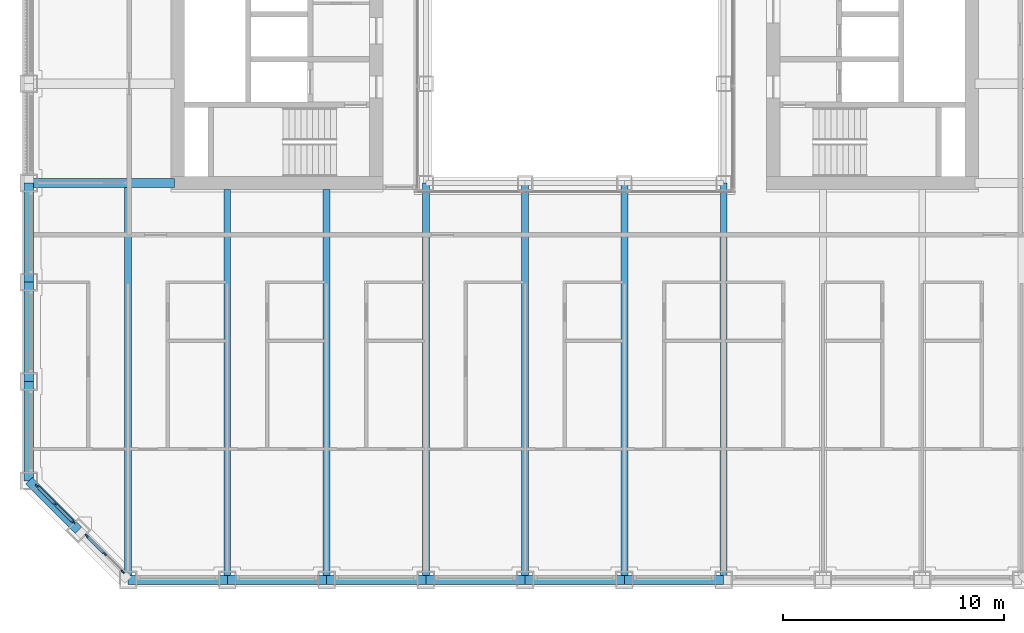
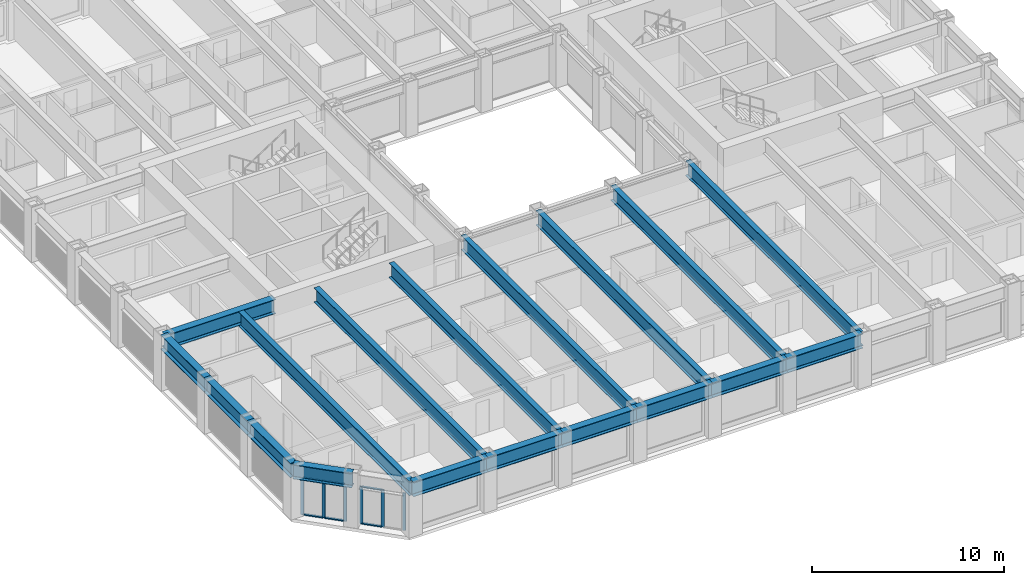
# One storey, part 2 of 21: 18 beams, 12 members, 2 elements without a shape of their own.
"""IFC4 building model written with IfcOpenShell, lengths in metres."""

from ifc_helpers import new_model, si_unit, direction, frame, origin, origin_2d, place, context, subcontext, project, spatial, rectangle, i_section, extrude, material, material_profile, profile_set, type_object, element, aggregate, save


model = new_model("IFC4")

# Units and contexts
model_context = context("Model", 3, precision=1e-05, world=origin(), true_north=direction((0.0, 1.0)))
body_context = subcontext(model_context, "Body", "Model", "MODEL_VIEW")
ifc_project = project(units=[si_unit("LENGTHUNIT", "METRE"), si_unit("AREAUNIT", "SQUARE_METRE"), si_unit("VOLUMEUNIT", "CUBIC_METRE"), si_unit("PLANEANGLEUNIT", "RADIAN"), si_unit("MASSUNIT", "GRAM", prefix="KILO")], contexts=[model_context])

# Site, building, storey
site_placement = place(None, origin())
site = spatial("IfcSite", under=ifc_project, at=site_placement, CompositionType="ELEMENT")
building_placement = place(site_placement, origin())
building = spatial("IfcBuilding", under=site, at=building_placement, Name="Msasa Ring Tower", CompositionType="ELEMENT")
storey_placement = place(building_placement, frame((0.0, 0.0, 96.5)))
storey = spatial("IfcBuildingStorey", under=building, at=storey_placement, Name="L25", CompositionType="ELEMENT", Elevation=96.5)

# Curtain wall, members
ifc_material_1 = material(Name="Aluminium curtain wall with clear glass", Category="aluminium")
curtain_wall_type = type_object("IfcCurtainWallType", Name="CW-C CHAMFER CORNER CURTAIN WALL", PredefinedType="NOTDEFINED", material=ifc_material_1)
curtain_wall_1_placement = place(storey_placement, origin())
curtain_wall_1 = element("IfcCurtainWall", 1, at=curtain_wall_1_placement, inside=storey, type_object=curtain_wall_type, Name="Chamfer corner curtain wall SW L25", PredefinedType="NOTDEFINED")
ifc_material_2 = material(Name="Aluminium mullion", Category="aluminium")
ifc_material_profile_1 = material_profile(ifc_material_2, rectangle(XDim=0.06494140625, YDim=0.179931640625, at=origin_2d()), Name="AL 65x180")
ifc_profile_set_1 = profile_set([ifc_material_profile_1], Name="Aluminium mullion")
member_type_1 = type_object("IfcMemberType", Name="CW-C MULLION 65x180", PredefinedType="MULLION", material=ifc_profile_set_1)
member_1_placement = place(storey_placement, frame((-24.369873046875, -20.48876953125, 0.0), z_axis=(0.0, 0.0, 1.0), x_axis=(0.707106781187, 0.707106781187, 0.0)))
member_1 = element("IfcMember", 2, at=member_1_placement, type_object=member_type_1, Name="CW-C mullion 1", PredefinedType="MULLION", context=body_context, shape_type="SweptSolid", body=[
    extrude(rectangle(XDim=0.06494140625, YDim=0.179931640625, at=origin_2d()), origin(), (0.0, 0.0, 1.0), 2.37890625),
])
member_2_placement = place(storey_placement, frame((-23.55419921875, -21.30419921875, 0.0), z_axis=(0.0, 0.0, 1.0), x_axis=(0.707106781187, 0.707106781187, 0.0)))
member_2 = element("IfcMember", 3, at=member_2_placement, type_object=member_type_1, Name="CW-C mullion 2", PredefinedType="MULLION", context=body_context, shape_type="SweptSolid", body=[
    extrude(rectangle(XDim=0.06494140625, YDim=0.179931640625, at=origin_2d()), origin(), (0.0, 0.0, 1.0), 2.37890625),
])
member_3_placement = place(storey_placement, frame((-22.73876953125, -22.119873046875, 0.0), z_axis=(0.0, 0.0, 1.0), x_axis=(0.707106781187, 0.707106781187, 0.0)))
member_3 = element("IfcMember", 4, at=member_3_placement, type_object=member_type_1, Name="CW-C mullion 3", PredefinedType="MULLION", context=body_context, shape_type="SweptSolid", body=[
    extrude(rectangle(XDim=0.06494140625, YDim=0.179931640625, at=origin_2d()), origin(), (0.0, 0.0, 1.0), 2.37890625),
])

curtain_wall_2_placement = place(storey_placement, origin())
curtain_wall_2 = element("IfcCurtainWall", 5, at=curtain_wall_2_placement, inside=storey, type_object=curtain_wall_type, Name="Chamfer corner curtain wall SW L25", PredefinedType="NOTDEFINED")
member_4_placement = place(storey_placement, frame((-22.119873046875, -22.73876953125, 0.0), z_axis=(0.0, 0.0, 1.0), x_axis=(0.707106781187, 0.707106781187, 0.0)))
member_4 = element("IfcMember", 6, at=member_4_placement, type_object=member_type_1, Name="CW-C mullion 1", PredefinedType="MULLION", context=body_context, shape_type="SweptSolid", body=[
    extrude(rectangle(XDim=0.06494140625, YDim=0.179931640625, at=origin_2d()), origin(), (0.0, 0.0, 1.0), 2.37890625),
])
member_5_placement = place(storey_placement, frame((-21.30419921875, -23.55419921875, 0.0), z_axis=(0.0, 0.0, 1.0), x_axis=(0.707106781187, 0.707106781187, 0.0)))
member_5 = element("IfcMember", 7, at=member_5_placement, type_object=member_type_1, Name="CW-C mullion 2", PredefinedType="MULLION", context=body_context, shape_type="SweptSolid", body=[
    extrude(rectangle(XDim=0.06494140625, YDim=0.179931640625, at=origin_2d()), origin(), (0.0, 0.0, 1.0), 2.37890625),
])
member_6_placement = place(storey_placement, frame((-20.48876953125, -24.369873046875, 0.0), z_axis=(0.0, 0.0, 1.0), x_axis=(0.707106781187, 0.707106781187, 0.0)))
member_6 = element("IfcMember", 8, at=member_6_placement, type_object=member_type_1, Name="CW-C mullion 3", PredefinedType="MULLION", context=body_context, shape_type="SweptSolid", body=[
    extrude(rectangle(XDim=0.06494140625, YDim=0.179931640625, at=origin_2d()), origin(), (0.0, 0.0, 1.0), 2.37890625),
])

# Member
ifc_material_3 = material(Name="Aluminium transom", Category="aluminium")
ifc_material_profile_2 = material_profile(ifc_material_3, rectangle(XDim=0.139892578125, YDim=0.06494140625, at=origin_2d()), Name="AL 65x140")
ifc_profile_set_2 = profile_set([ifc_material_profile_2], Name="Aluminium transom")
member_type_2 = type_object("IfcMemberType", Name="CW-C TRANSOM 65x140", PredefinedType="USERDEFINED", material=ifc_profile_set_2)
member_7_placement = place(storey_placement, frame((-24.346923828125, -20.51171875, 0.032470703125), z_axis=(0.707106781187, -0.707106781187, 0.0), x_axis=(0.707106781187, 0.707106781187, 0.0)))
member_7 = element("IfcMember", 9, at=member_7_placement, type_object=member_type_2, Name="CW-C transom 1.1", ObjectType="TRANSOM", PredefinedType="USERDEFINED", context=body_context, shape_type="SweptSolid", body=[
    extrude(rectangle(XDim=0.139892578125, YDim=0.06494140625, at=origin_2d()), origin(), (0.0, 0.0, 1.0), 1.08837890625),
])

member_8_placement = place(storey_placement, frame((-24.346923828125, -20.51171875, 2.346435546875), z_axis=(0.707106781187, -0.707106781187, 0.0), x_axis=(0.707106781187, 0.707106781187, 0.0)))
member_8 = element("IfcMember", 10, at=member_8_placement, type_object=member_type_2, Name="CW-C transom 1.2", ObjectType="TRANSOM", PredefinedType="USERDEFINED", context=body_context, shape_type="SweptSolid", body=[
    extrude(rectangle(XDim=0.139892578125, YDim=0.06494140625, at=origin_2d()), origin(), (0.0, 0.0, 1.0), 1.08837890625),
])

member_9_placement = place(storey_placement, frame((-23.53125, -21.327392578125, 0.032470703125), z_axis=(0.707106781187, -0.707106781187, 0.0), x_axis=(0.707106781187, 0.707106781187, 0.0)))
member_9 = element("IfcMember", 11, at=member_9_placement, type_object=member_type_2, Name="CW-C transom 2.1", ObjectType="TRANSOM", PredefinedType="USERDEFINED", context=body_context, shape_type="SweptSolid", body=[
    extrude(rectangle(XDim=0.139892578125, YDim=0.06494140625, at=origin_2d()), origin(), (0.0, 0.0, 1.0), 1.08837890625),
])

member_10_placement = place(storey_placement, frame((-23.53125, -21.327392578125, 2.346435546875), z_axis=(0.707106781187, -0.707106781187, 0.0), x_axis=(0.707106781187, 0.707106781187, 0.0)))
member_10 = element("IfcMember", 12, at=member_10_placement, type_object=member_type_2, Name="CW-C transom 2.2", ObjectType="TRANSOM", PredefinedType="USERDEFINED", context=body_context, shape_type="SweptSolid", body=[
    extrude(rectangle(XDim=0.139892578125, YDim=0.06494140625, at=origin_2d()), origin(), (0.0, 0.0, 1.0), 1.08837890625),
])

aggregate(curtain_wall_1, [member_1, member_2, member_3, member_7, member_8, member_9, member_10])

member_11_placement = place(storey_placement, frame((-22.096923828125, -22.76171875, 0.032470703125), z_axis=(0.707106781187, -0.707106781187, 0.0), x_axis=(0.707106781187, 0.707106781187, 0.0)))
member_11 = element("IfcMember", 13, at=member_11_placement, type_object=member_type_2, Name="CW-C transom 1.1", ObjectType="TRANSOM", PredefinedType="USERDEFINED", context=body_context, shape_type="SweptSolid", body=[
    extrude(rectangle(XDim=0.139892578125, YDim=0.06494140625, at=origin_2d()), origin(), (0.0, 0.0, 1.0), 1.08837890625),
])

member_12_placement = place(storey_placement, frame((-22.096923828125, -22.76171875, 2.346435546875), z_axis=(0.707106781187, -0.707106781187, 0.0), x_axis=(0.707106781187, 0.707106781187, 0.0)))
member_12 = element("IfcMember", 14, at=member_12_placement, type_object=member_type_2, Name="CW-C transom 1.2", ObjectType="TRANSOM", PredefinedType="USERDEFINED", context=body_context, shape_type="SweptSolid", body=[
    extrude(rectangle(XDim=0.139892578125, YDim=0.06494140625, at=origin_2d()), origin(), (0.0, 0.0, 1.0), 1.08837890625),
])

aggregate(curtain_wall_2, [member_4, member_5, member_6, member_11, member_12])

# Beams
ifc_material_4 = material(Name="Steel S355", Category="steel")
ifc_material_profile_3 = material_profile(ifc_material_4, i_section(OverallWidth=0.3076171875, OverallDepth=0.926513671875, WebThickness=0.01953125, FlangeThickness=0.031982421875, FilletRadius=0.01904296875, at=origin_2d()), Name="UB 914x305x289")
ifc_profile_set_3 = profile_set([ifc_material_profile_3], Name="Steel S355")
beam_type_1 = type_object("IfcBeamType", Name="FB3 UB 914x305x289", PredefinedType="BEAM", material=ifc_profile_set_3)
beam_1_placement = place(storey_placement, frame((-20.25, -24.75, 2.836669921875), z_axis=(0.0, 1.0, 0.0), x_axis=(-1.0, 0.0, 0.0)))
element("IfcBeam", 15, at=beam_1_placement, inside=storey, type_object=beam_type_1, Name="Floor beam S-20.25 under L26", PredefinedType="BEAM", context=body_context, shape_type="SweptSolid", body=[
    extrude(i_section(OverallWidth=0.3076171875, OverallDepth=0.926513671875, WebThickness=0.01953125, FlangeThickness=0.031982421875, FilletRadius=0.01904296875, at=origin_2d()), origin(), (0.0, 0.0, 1.0), 17.789794921875),
])
for number, where, z_axis, x_axis, name in (
    (16, (-15.75, -24.75, 2.836669921875), (0.0, 1.0, 0.0), (-1.0, 0.0, 0.0), "Floor beam S-15.75 under L26"),
    (17, (-11.25, -24.75, 2.836669921875), (0.0, 1.0, 0.0), (-1.0, 0.0, 0.0), "Floor beam S-11.25 under L26"),
):
    element("IfcBeam", number, at=place(storey_placement, frame(where, z_axis=z_axis, x_axis=x_axis)), inside=storey, type_object=beam_type_1, Name=name, PredefinedType="BEAM", context=body_context, shape_type="SweptSolid", body=[
        extrude(i_section(OverallWidth=0.3076171875, OverallDepth=0.926513671875, WebThickness=0.01953125, FlangeThickness=0.031982421875, FilletRadius=0.01904296875, at=origin_2d()), origin(), (0.0, 0.0, 1.0), 17.699951171875),
    ])
for number, where, z_axis, x_axis, name in (
    (18, (-6.75, -24.75, 2.836669921875), (0.0, 1.0, 0.0), (-1.0, 0.0, 0.0), "Floor beam S-6.75 under L26"),
    (19, (-2.25, -24.75, 2.836669921875), (0.0, 1.0, 0.0), (-1.0, 0.0, 0.0), "Floor beam S-2.25 under L26"),
    (20, (2.25, -24.75, 2.836669921875), (0.0, 1.0, 0.0), (-1.0, 0.0, 0.0), "Floor beam S+2.25 under L26"),
    (21, (6.75, -24.75, 2.836669921875), (0.0, 1.0, 0.0), (-1.0, 0.0, 0.0), "Floor beam S+6.75 under L26"),
):
    element("IfcBeam", number, at=place(storey_placement, frame(where, z_axis=z_axis, x_axis=x_axis)), inside=storey, type_object=beam_type_1, Name=name, PredefinedType="BEAM", context=body_context, shape_type="SweptSolid", body=[
        extrude(i_section(OverallWidth=0.3076171875, OverallDepth=0.926513671875, WebThickness=0.01953125, FlangeThickness=0.031982421875, FilletRadius=0.01904296875, at=origin_2d()), origin(), (0.0, 0.0, 1.0), 18.0),
    ])
ifc_material_5 = material(Name="Steel S355", Category="steel")
ifc_material_profile_4 = material_profile(ifc_material_5, i_section(OverallWidth=0.42041015625, OverallDepth=0.9208984375, WebThickness=0.021484375, FlangeThickness=0.03662109375, FilletRadius=0.024169921875, at=origin_2d()), Name="UB 914x419x388")
ifc_profile_set_4 = profile_set([ifc_material_profile_4], Name="Steel S355")
beam_type_2 = type_object("IfcBeamType", Name="GB1 UB 914x419x388", PredefinedType="BEAM", material=ifc_profile_set_4)
beam_2_placement = place(storey_placement, frame((-18.14990234375, -6.75, 2.839599609375), z_axis=(-1.0, 0.0, 0.0), x_axis=(0.0, -1.0, 0.0)))
element("IfcBeam", 22, at=beam_2_placement, inside=storey, type_object=beam_type_2, Name="Girder W -6.75 under L26", PredefinedType="BEAM", context=body_context, shape_type="SweptSolid", body=[
    extrude(i_section(OverallWidth=0.42041015625, OverallDepth=0.9208984375, WebThickness=0.021484375, FlangeThickness=0.03662109375, FilletRadius=0.024169921875, at=origin_2d()), origin(), (0.0, 0.0, 1.0), 6.60009765625),
])
ifc_material_6 = material(Name="Steel S355", Category="steel")
ifc_material_profile_5 = material_profile(ifc_material_6, i_section(OverallWidth=0.42041015625, OverallDepth=0.9208984375, WebThickness=0.021484375, FlangeThickness=0.03662109375, FilletRadius=0.024169921875, at=origin_2d()), Name="UB 914x419x388")
ifc_profile_set_5 = profile_set([ifc_material_profile_5], Name="Steel S355")
beam_type_3 = type_object("IfcBeamType", Name="SB1 UB 914x419x388", PredefinedType="SPANDREL", material=ifc_profile_set_5)
for number, where, z_axis, x_axis, name in (
    (23, (-24.75, -6.75, 2.839599609375), (0.0, -1.0, 0.0), (1.0, 0.0, 0.0), "Spandrel W-6.75 to W-11.25 under L26"),
    (24, (-24.75, -11.25, 2.839599609375), (0.0, -1.0, 0.0), (1.0, 0.0, 0.0), "Spandrel W-11.25 to W-15.75 under L26"),
    (25, (-24.75, -15.75, 2.839599609375), (0.0, -1.0, 0.0), (1.0, 0.0, 0.0), "Spandrel W-15.75 to W-20.25 under L26"),
):
    element("IfcBeam", number, at=place(storey_placement, frame(where, z_axis=z_axis, x_axis=x_axis)), inside=storey, type_object=beam_type_3, Name=name, PredefinedType="SPANDREL", context=body_context, shape_type="SweptSolid", body=[
        extrude(i_section(OverallWidth=0.42041015625, OverallDepth=0.9208984375, WebThickness=0.021484375, FlangeThickness=0.03662109375, FilletRadius=0.024169921875, at=origin_2d()), origin(), (0.0, 0.0, 1.0), 4.5),
    ])
beam_3_placement = place(storey_placement, frame((-24.75, -20.25, 2.839599609375), z_axis=(0.707106781187, -0.707106781187, 0.0), x_axis=(0.707106781187, 0.707106781187, 0.0)))
element("IfcBeam", 26, at=beam_3_placement, inside=storey, type_object=beam_type_3, Name="Spandrel W-20.25 to SW under L26", PredefinedType="SPANDREL", context=body_context, shape_type="SweptSolid", body=[
    extrude(i_section(OverallWidth=0.42041015625, OverallDepth=0.9208984375, WebThickness=0.021484375, FlangeThickness=0.03662109375, FilletRadius=0.024169921875, at=origin_2d()), origin(), (0.0, 0.0, 1.0), 3.181884765625),
])
for number, where, z_axis, x_axis, name in (
    (27, (-20.25, -24.75, 2.839599609375), (1.0, 0.0, 0.0), (0.0, 1.0, 0.0), "Spandrel S-20.25 to S-15.75 under L26"),
    (28, (-15.75, -24.75, 2.839599609375), (1.0, 0.0, 0.0), (0.0, 1.0, 0.0), "Spandrel S-15.75 to S-11.25 under L26"),
    (29, (-11.25, -24.75, 2.839599609375), (1.0, 0.0, 0.0), (0.0, 1.0, 0.0), "Spandrel S-11.25 to S-6.75 under L26"),
    (30, (-6.75, -24.75, 2.839599609375), (1.0, 0.0, 0.0), (0.0, 1.0, 0.0), "Spandrel S-6.75 to S-2.25 under L26"),
    (31, (-2.25, -24.75, 2.839599609375), (1.0, 0.0, 0.0), (0.0, 1.0, 0.0), "Spandrel S-2.25 to S+2.25 under L26"),
    (32, (2.25, -24.75, 2.839599609375), (1.0, 0.0, 0.0), (0.0, 1.0, 0.0), "Spandrel S+2.25 to S+6.75 under L26"),
):
    element("IfcBeam", number, at=place(storey_placement, frame(where, z_axis=z_axis, x_axis=x_axis)), inside=storey, type_object=beam_type_3, Name=name, PredefinedType="SPANDREL", context=body_context, shape_type="SweptSolid", body=[
        extrude(i_section(OverallWidth=0.42041015625, OverallDepth=0.9208984375, WebThickness=0.021484375, FlangeThickness=0.03662109375, FilletRadius=0.024169921875, at=origin_2d()), origin(), (0.0, 0.0, 1.0), 4.5),
    ])

save(model, "model.ifc")
